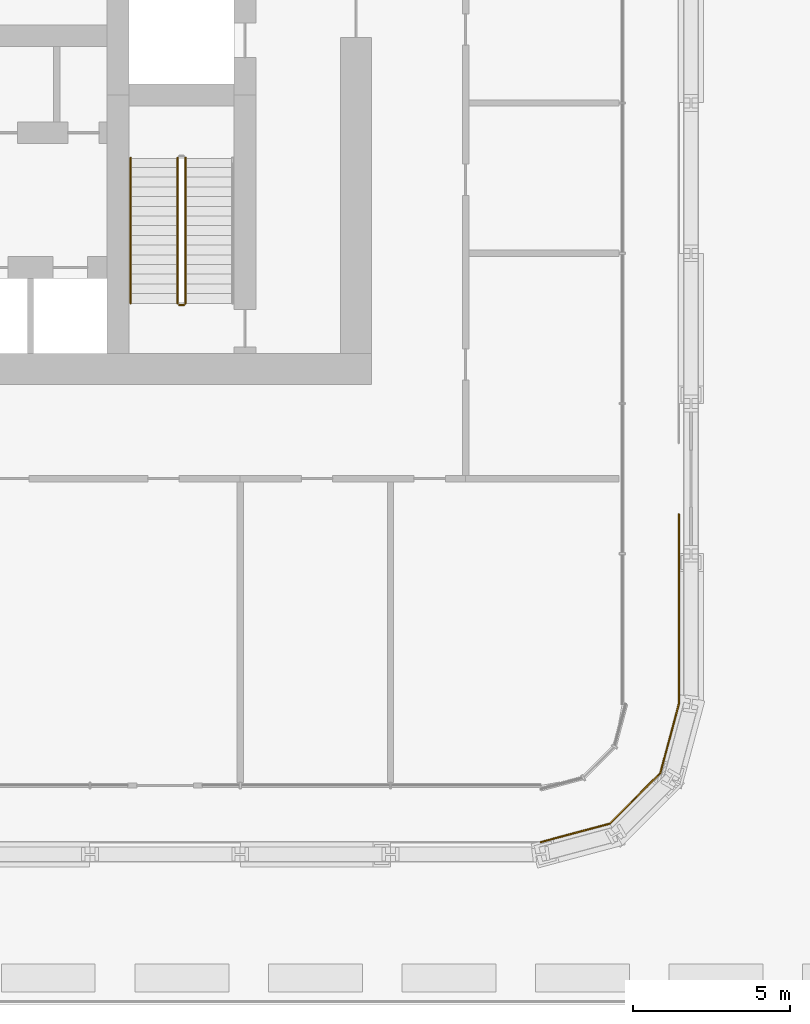
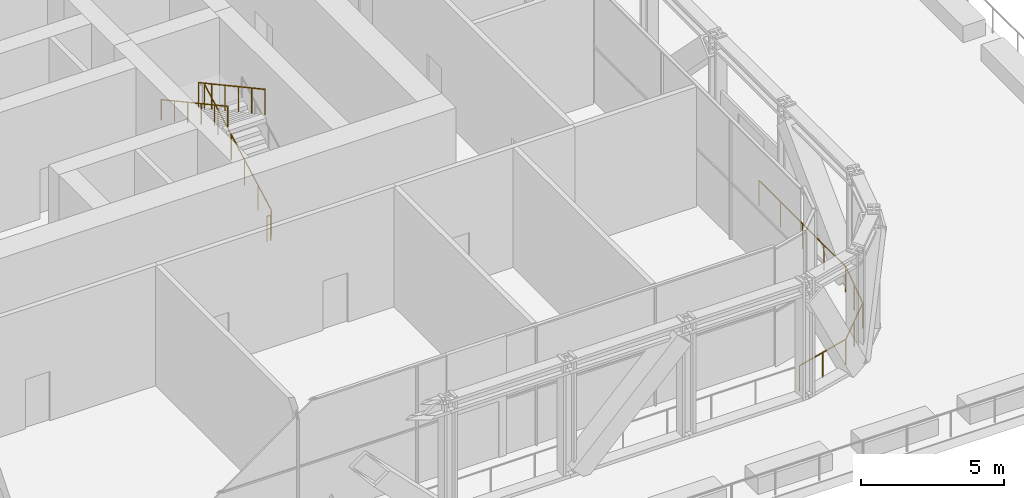
# One storey, part 18 of 22: 5 railings.
"""IFC4 building model written with IfcOpenShell, lengths in metres."""

import ifcopenshell
import ifcopenshell.guid

model = None  # the IFC model being written
_history = None  # IfcOwnerHistory: only IFC2X3 demands one
_inside = {}  # id of a spatial element -> (the spatial element, [elements in it])
_under = {}  # id of a project, library or spatial element -> (it, [spatial elements below it])
_declared = {}  # id of a project -> (the project, [libraries it declares])
_typed = {}  # id of a type object -> (the type object, [elements of that type])
_made_of = {}  # id of a material, layer set ... -> (it, [elements and type objects made of it])


def new_model(schema):
    """Start an empty IFC model of exactly this schema.

    Asked for "IFC4X3", IfcOpenShell would pick the latest addendum, in which some entities
    have other attributes; the version numbers below select the first issue.
    IFC2X3 requires an IfcOwnerHistory on every rooted entity: one is made here for all.
    """
    global model, _history
    if schema == "IFC4X3":
        model = ifcopenshell.file(schema_version=(4, 3, 0, 0))
    else:
        model = ifcopenshell.file(schema=schema)
    _inside.clear()
    _under.clear()
    _declared.clear()
    _typed.clear()
    _made_of.clear()
    _history = None
    if model.schema == "IFC2X3":
        org = make("IfcOrganization", Name="unknown")
        user = make(
            "IfcPersonAndOrganization",
            ThePerson=make("IfcPerson", FamilyName="unknown"),
            TheOrganization=org,
        )
        app = make(
            "IfcApplication",
            ApplicationDeveloper=org,
            Version="unknown",
            ApplicationFullName="unknown",
            ApplicationIdentifier="unknown",
        )
        _history = make(
            "IfcOwnerHistory",
            OwningUser=user,
            OwningApplication=app,
            ChangeAction="ADDED",
            CreationDate=0,
        )
    return model


def make(cls, **values):
    """One entity of the class cls with the attributes given. An attribute that is None is left unset."""
    return model.create_entity(
        cls, **{name: value for name, value in values.items() if value is not None}
    )


def rooted(cls, **values):
    """An entity with a GlobalId (a new one), such as an element, a storey or a relation."""
    return make(cls, GlobalId=ifcopenshell.guid.new(), OwnerHistory=_history, **values)


def si_unit(unit_type, name, prefix=None):
    """IfcSIUnit, for example si_unit("LENGTHUNIT", "METRE", prefix="MILLI")."""
    return make("IfcSIUnit", UnitType=unit_type, Prefix=prefix, Name=name)


def assignment(units):
    """IfcUnitAssignment: the units of a project."""
    return None if units is None else make("IfcUnitAssignment", Units=units)


def point(xyz):
    """IfcCartesianPoint."""
    return None if xyz is None else make("IfcCartesianPoint", Coordinates=xyz)


def direction(xyz):
    """IfcDirection."""
    return None if xyz is None else make("IfcDirection", DirectionRatios=xyz)


def frame(location, z_axis=None, x_axis=None):
    """IfcAxis2Placement3D, a coordinate frame: its origin and axes. An axis left out is left unset."""
    return make(
        "IfcAxis2Placement3D",
        Location=point(location),
        Axis=direction(z_axis),
        RefDirection=direction(x_axis),
    )


def frame_2d(location, x_axis=None):
    """IfcAxis2Placement2D, a coordinate frame in the plane: its origin and x axis."""
    return make(
        "IfcAxis2Placement2D", Location=point(location), RefDirection=direction(x_axis)
    )


def origin():
    """The frame at (0, 0, 0) with its axes left unset."""
    return frame((0.0, 0.0, 0.0))


def origin_2d():
    """The frame at (0, 0) in the plane with its x axis left unset."""
    return frame_2d((0.0, 0.0))


def place(relative_to, where):
    """IfcLocalPlacement: puts the frame where relative to a parent placement (None: the world)."""
    return make(
        "IfcLocalPlacement", PlacementRelTo=relative_to, RelativePlacement=where
    )


def context(
    kind, dimensions, precision=None, world=None, true_north=None, identifier=None
):
    """IfcGeometricRepresentationContext, for example the 3D "Model" context."""
    return make(
        "IfcGeometricRepresentationContext",
        ContextIdentifier=identifier,
        ContextType=kind,
        CoordinateSpaceDimension=dimensions,
        Precision=precision,
        WorldCoordinateSystem=world,
        TrueNorth=true_north,
    )


def subcontext(parent, identifier, kind, view, scale=None):
    """IfcGeometricRepresentationSubContext, for example "Body" below "Model"."""
    return make(
        "IfcGeometricRepresentationSubContext",
        ContextIdentifier=identifier,
        ContextType=kind,
        ParentContext=parent,
        TargetScale=scale,
        TargetView=view,
    )


def project(units=None, contexts=None):
    """IfcProject with its units and contexts."""
    return rooted(
        "IfcProject",
        Name="project",
        RepresentationContexts=contexts,
        UnitsInContext=assignment(units),
    )


def spatial(cls, under=None, at=None, **own):
    """A site, building, storey or space (cls), placed at a placement, below another one or the project."""
    s = rooted(cls, ObjectPlacement=at, **own)
    if under is not None:
        _under.setdefault(under.id(), (under, []))[1].append(s)
    return s


def profile(cls, at=None, kind="AREA", **sizes):
    """A parametric profile (cls). Its sizes go by their IFC names, for example OverallWidth=200.0."""
    return make(cls, ProfileType=kind, Position=at, **sizes)


def circle(**sizes):
    """IfcCircleProfileDef."""
    return profile("IfcCircleProfileDef", **sizes)


def extrude(swept, where, along, depth):
    """IfcExtrudedAreaSolid: the profile swept, set in the frame where, extruded along a direction by depth."""
    return make(
        "IfcExtrudedAreaSolid",
        SweptArea=swept,
        Position=where,
        ExtrudedDirection=direction(along),
        Depth=depth,
    )


def shape(context_of_items, identifier, shape_type, items):
    """IfcShapeRepresentation: the items that make up one representation, for example the "Body"."""
    return make(
        "IfcShapeRepresentation",
        ContextOfItems=context_of_items,
        RepresentationIdentifier=identifier,
        RepresentationType=shape_type,
        Items=items,
    )


def material(Name=None, Category=None):
    """IfcMaterial."""
    return make("IfcMaterial", Name=Name, Category=Category)


def made_of(thing, what):
    """Note that an element or type object is made of a material, layer set ...; save() writes the relation."""
    if what is not None:
        _made_of.setdefault(what.id(), (what, []))[1].append(thing)
    return thing


def type_object(cls, material=None, **own):
    """A type object (cls), such as IfcWallType, which elements share."""
    return made_of(rooted(cls, **own), material)


def element(
    cls,
    number,
    at=None,
    inside=None,
    cuts=None,
    type_object=None,
    material=None,
    context=None,
    identifier="Body",
    shape_type=None,
    held_by="IfcProductDefinitionShape",
    body=None,
    shapes=None,
    **own,
):
    """One element of the class cls, such as IfcWall. Its Tag is "e" and its number.

    at: its placement. inside: the storey or other place that contains it. cuts: it is an
    opening in that element (IfcRelVoidsElement). A single representation is given by context,
    identifier, shape_type and body (its items); several are given by shapes. held_by: the class
    of the entity that holds the representations. save() writes the other relations.
    """
    e = rooted(cls, Tag="e%d" % number, ObjectPlacement=at, **own)
    if body is not None:
        shapes = [shape(context, identifier, shape_type, body)]
    if shapes is not None:
        e.Representation = make(held_by, Representations=shapes)
    if inside is not None:
        _inside.setdefault(inside.id(), (inside, []))[1].append(e)
    if cuts is not None:
        rooted(
            "IfcRelVoidsElement", RelatingBuildingElement=cuts, RelatedOpeningElement=e
        )
    if type_object is not None:
        _typed.setdefault(type_object.id(), (type_object, []))[1].append(e)
    return made_of(e, material)


def aggregate(whole, parts):
    """IfcRelAggregates: a whole, such as a stair, and the parts it consists of."""
    return rooted("IfcRelAggregates", RelatingObject=whole, RelatedObjects=parts)


def save(model, path):
    """Write the relations noted so far, then the file.

    IfcRelAggregates (storeys below a building ...), IfcRelContainedInSpatialStructure (elements
    in a storey), IfcRelDefinesByType, IfcRelAssociatesMaterial and IfcRelDeclares: one each for
    every whole, place, type object, material and project.
    """
    for whole, parts in _under.values():
        aggregate(whole, parts)
    for where, things in _inside.values():
        rooted(
            "IfcRelContainedInSpatialStructure",
            RelatedElements=things,
            RelatingStructure=where,
        )
    for kind, things in _typed.values():
        rooted("IfcRelDefinesByType", RelatedObjects=things, RelatingType=kind)
    for what, things in _made_of.values():
        rooted("IfcRelAssociatesMaterial", RelatedObjects=things, RelatingMaterial=what)
    for by, libraries in _declared.values():
        rooted("IfcRelDeclares", RelatingContext=by, RelatedDefinitions=libraries)
    model.write(path)


model = new_model("IFC4")

# Units and contexts
model_context = context("Model", 3, precision=1e-05, world=origin(), true_north=direction((0.0, 1.0)))
body_context = subcontext(model_context, "Body", "Model", "MODEL_VIEW")
ifc_project = project(units=[si_unit("LENGTHUNIT", "METRE"), si_unit("AREAUNIT", "SQUARE_METRE"), si_unit("VOLUMEUNIT", "CUBIC_METRE"), si_unit("PLANEANGLEUNIT", "RADIAN"), si_unit("MASSUNIT", "GRAM", prefix="KILO")], contexts=[model_context])

# Site, building, storey
site_placement = place(None, origin())
site = spatial("IfcSite", under=ifc_project, at=site_placement, CompositionType="ELEMENT")
building_placement = place(site_placement, origin())
building = spatial("IfcBuilding", under=site, at=building_placement, Name="Madar Terraces", CompositionType="ELEMENT")
storey_placement = place(building_placement, frame((0.0, 0.0, 24.0)))
storey = spatial("IfcBuildingStorey", under=building, at=storey_placement, Name="L05", CompositionType="ELEMENT", Elevation=24.0)

# Railings
ifc_material_1 = material(Name="Glass, safety glazing, with stainless steel posts", Category="steel")
railing_type_1 = type_object("IfcRailingType", Name="Balcony glass guard 1100", PredefinedType="GUARDRAIL", material=ifc_material_1)
railing_1_placement = place(storey_placement, frame((52.800048828125, 0.388916015625, 0.0)))
element("IfcRailing", 1, at=railing_1_placement, inside=storey, type_object=railing_type_1, Name="Gallery guard", PredefinedType="GUARDRAIL", context=body_context, shape_type="SweptSolid", body=[
    extrude(circle(Radius=0.02392578125, at=origin_2d()), frame((0.0, 0.0, 1.076171875), z_axis=(0.965943279407, 0.258753900394, 0.0), x_axis=(-0.258753900394, 0.965943279407, 0.0)), (0.0, 0.0, 1.0), 2.283447265625),
    extrude(circle(Radius=0.02392578125, at=origin_2d()), frame((2.20556640625, 0.5908203125, 1.076171875), z_axis=(0.707053319819, 0.707160238512, 0.0), x_axis=(-0.707160238512, 0.707053319819, 0.0)), (0.0, 0.0, 1.0), 2.283447265625),
    extrude(circle(Radius=0.02392578125, at=origin_2d()), frame((3.820068359375, 2.20556640625, 1.076171875), z_axis=(0.258853660469, 0.965916550465, 0.0), x_axis=(-0.965916550465, 0.258853660469, 0.0)), (0.0, 0.0, 1.0), 2.283447265625),
    extrude(circle(Radius=0.02392578125, at=origin_2d()), frame((4.4111328125, 4.4111328125, 1.076171875), z_axis=(0.0, 1.0, 0.0), x_axis=(-1.0, 0.0, 0.0)), (0.0, 0.0, 1.0), 6.066162109375),
    extrude(circle(Radius=0.02099609375, at=origin_2d()), origin(), (0.0, 0.0, 1.0), 1.052001953125),
    extrude(circle(Radius=0.02099609375, at=origin_2d()), frame((1.102783203125, 0.29541015625, 0.0)), (0.0, 0.0, 1.0), 1.052001953125),
    extrude(circle(Radius=0.02099609375, at=origin_2d()), frame((2.20556640625, 0.5908203125, 0.0)), (0.0, 0.0, 1.0), 1.052001953125),
    extrude(circle(Radius=0.02099609375, at=origin_2d()), frame((3.0126953125, 1.398193359375, 0.0)), (0.0, 0.0, 1.0), 1.052001953125),
    extrude(circle(Radius=0.02099609375, at=origin_2d()), frame((3.820068359375, 2.20556640625, 0.0)), (0.0, 0.0, 1.0), 1.052001953125),
    extrude(circle(Radius=0.02099609375, at=origin_2d()), frame((4.11572265625, 3.308349609375, 0.0)), (0.0, 0.0, 1.0), 1.052001953125),
    extrude(circle(Radius=0.02099609375, at=origin_2d()), frame((4.4111328125, 4.4111328125, 0.0)), (0.0, 0.0, 1.0), 1.052001953125),
    extrude(circle(Radius=0.02099609375, at=origin_2d()), frame((4.4111328125, 5.927734375, 0.0)), (0.0, 0.0, 1.0), 1.052001953125),
    extrude(circle(Radius=0.02099609375, at=origin_2d()), frame((4.4111328125, 7.4443359375, 0.0)), (0.0, 0.0, 1.0), 1.052001953125),
    extrude(circle(Radius=0.02099609375, at=origin_2d()), frame((4.4111328125, 8.960693359375, 0.0)), (0.0, 0.0, 1.0), 1.052001953125),
    extrude(circle(Radius=0.02099609375, at=origin_2d()), frame((4.4111328125, 10.477294921875, 0.0)), (0.0, 0.0, 1.0), 1.052001953125),
])
ifc_material_2 = material(Name="Stainless steel railing", Category="steel")
railing_type_2 = type_object("IfcRailingType", Name="Stair guard 1100", PredefinedType="GUARDRAIL", material=ifc_material_2)
railing_2_placement = place(storey_placement, frame((41.449951171875, 17.60009765625, 0.168701171875)))
element("IfcRailing", 2, at=railing_2_placement, inside=storey, type_object=railing_type_2, Name="L05 ST3 stair guard 1", PredefinedType="GUARDRAIL", context=body_context, shape_type="SweptSolid", body=[
    extrude(circle(Radius=0.02392578125, at=origin_2d()), frame((0.0, 0.0, 1.076171875), z_axis=(0.0, 0.878297076953, 0.478115304728), x_axis=(-1.0, 0.0, 0.0)), (0.0, 0.0, 1.0), 5.294189453125),
    extrude(circle(Radius=0.02099609375, at=origin_2d()), origin(), (0.0, 0.0, 1.0), 1.052001953125),
    extrude(circle(Radius=0.02099609375, at=origin_2d()), frame((0.0, 0.929931640625, 0.50634765625)), (0.0, 0.0, 1.0), 1.052001953125),
    extrude(circle(Radius=0.02099609375, at=origin_2d()), frame((0.0, 1.85986328125, 1.012451171875)), (0.0, 0.0, 1.0), 1.052001953125),
    extrude(circle(Radius=0.02099609375, at=origin_2d()), frame((0.0, 2.7900390625, 1.518798828125)), (0.0, 0.0, 1.0), 1.052001953125),
    extrude(circle(Radius=0.02099609375, at=origin_2d()), frame((0.0, 3.719970703125, 2.02490234375)), (0.0, 0.0, 1.0), 1.052001953125),
    extrude(circle(Radius=0.02099609375, at=origin_2d()), frame((0.0, 4.64990234375, 2.53125)), (0.0, 0.0, 1.0), 1.052001953125),
])
railing_3_placement = place(storey_placement, frame((41.199951171875, 22.25, 2.86865234375)))
element("IfcRailing", 3, at=railing_3_placement, inside=storey, type_object=railing_type_2, Name="L05 ST3 stair guard 3", PredefinedType="GUARDRAIL", context=body_context, shape_type="SweptSolid", body=[
    extrude(circle(Radius=0.02392578125, at=origin_2d()), frame((0.0, 0.0, 1.076171875), z_axis=(0.0, -0.878297076953, 0.478115304728), x_axis=(1.0, 0.0, 0.0)), (0.0, 0.0, 1.0), 5.294189453125),
    extrude(circle(Radius=0.02099609375, at=origin_2d()), origin(), (0.0, 0.0, 1.0), 1.052001953125),
    extrude(circle(Radius=0.02099609375, at=origin_2d()), frame((0.0, -0.929931640625, 0.50634765625)), (0.0, 0.0, 1.0), 1.052001953125),
    extrude(circle(Radius=0.02099609375, at=origin_2d()), frame((0.0, -1.85986328125, 1.012451171875)), (0.0, 0.0, 1.0), 1.052001953125),
    extrude(circle(Radius=0.02099609375, at=origin_2d()), frame((0.0, -2.7900390625, 1.518798828125)), (0.0, 0.0, 1.0), 1.052001953125),
    extrude(circle(Radius=0.02099609375, at=origin_2d()), frame((0.0, -3.719970703125, 2.02490234375)), (0.0, 0.0, 1.0), 1.052001953125),
    extrude(circle(Radius=0.02099609375, at=origin_2d()), frame((0.0, -4.64990234375, 2.53125)), (0.0, 0.0, 1.0), 1.052001953125),
])
railing_4_placement = place(storey_placement, frame((41.39990234375, 17.550048828125, 0.0)))
element("IfcRailing", 4, at=railing_4_placement, inside=storey, type_object=railing_type_2, Name="L05 ST3 stair guard 4", PredefinedType="GUARDRAIL", context=body_context, shape_type="SweptSolid", body=[
    extrude(circle(Radius=0.02392578125, at=origin_2d()), frame((0.0, 0.0, 1.076171875), z_axis=(-1.0, 0.0, 0.0), x_axis=(0.0, -1.0, 0.0)), (0.0, 0.0, 1.0), 0.14990234375),
    extrude(circle(Radius=0.02099609375, at=origin_2d()), origin(), (0.0, 0.0, 1.0), 1.052001953125),
    extrude(circle(Radius=0.02099609375, at=origin_2d()), frame((-0.14990234375, 0.0, 0.0)), (0.0, 0.0, 1.0), 1.052001953125),
])
ifc_material_3 = material(Name="Stainless steel railing", Category="steel")
railing_type_3 = type_object("IfcRailingType", Name="Stair handrail 900", PredefinedType="HANDRAIL", material=ifc_material_3)
railing_5_placement = place(storey_placement, frame((39.699951171875, 22.25, 2.86865234375)))
element("IfcRailing", 5, at=railing_5_placement, inside=storey, type_object=railing_type_3, Name="L05 ST3 stair handrail 2", PredefinedType="HANDRAIL", context=body_context, shape_type="SweptSolid", body=[
    extrude(circle(Radius=0.02392578125, at=origin_2d()), frame((0.0, 0.0, 0.8759765625), z_axis=(0.0, -0.878297076953, 0.478115304728), x_axis=(1.0, 0.0, 0.0)), (0.0, 0.0, 1.0), 5.294189453125),
    extrude(circle(Radius=0.02099609375, at=origin_2d()), origin(), (0.0, 0.0, 1.0), 0.851806640625),
    extrude(circle(Radius=0.02099609375, at=origin_2d()), frame((0.0, -0.929931640625, 0.50634765625)), (0.0, 0.0, 1.0), 0.851806640625),
    extrude(circle(Radius=0.02099609375, at=origin_2d()), frame((0.0, -1.85986328125, 1.012451171875)), (0.0, 0.0, 1.0), 0.851806640625),
    extrude(circle(Radius=0.02099609375, at=origin_2d()), frame((0.0, -2.7900390625, 1.518798828125)), (0.0, 0.0, 1.0), 0.851806640625),
    extrude(circle(Radius=0.02099609375, at=origin_2d()), frame((0.0, -3.719970703125, 2.02490234375)), (0.0, 0.0, 1.0), 0.851806640625),
    extrude(circle(Radius=0.02099609375, at=origin_2d()), frame((0.0, -4.64990234375, 2.53125)), (0.0, 0.0, 1.0), 0.851806640625),
])

save(model, "model.ifc")
